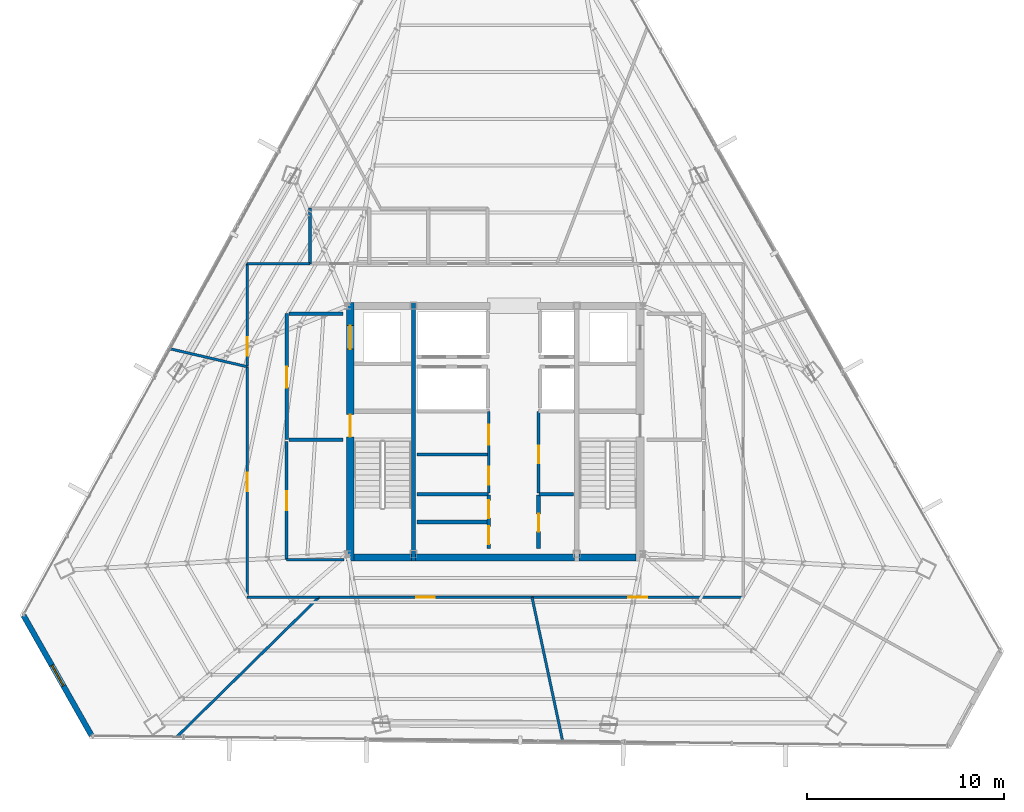
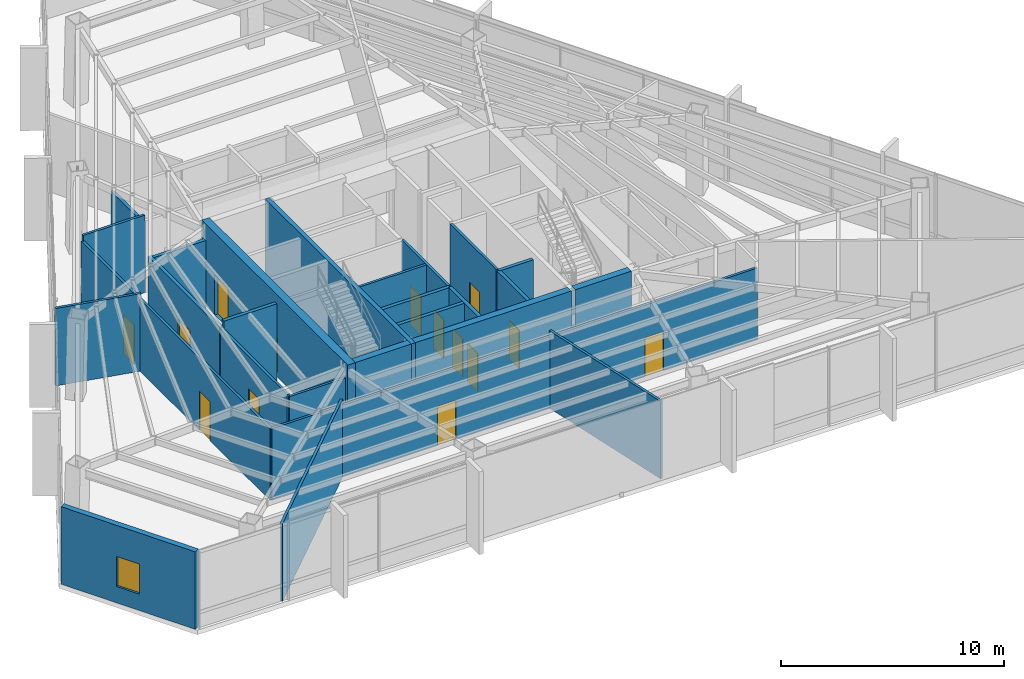
# One storey, part 33 of 37: 29 walls, 14 doors, 1 window, 15 openings.
"""IFC4 building model written with IfcOpenShell, lengths in metres."""

from ifc_helpers import new_model, si_unit, direction, frame, frame_2d, origin, place, context, subcontext, project, spatial, rectangle, extrude, material, layer, layer_set, type_object, element, fill, save


model = new_model("IFC4")

# Units and contexts
model_context = context("Model", 3, precision=1e-05, world=origin(), true_north=direction((0.0, 1.0)))
body_context = subcontext(model_context, "Body", "Model", "MODEL_VIEW")
ifc_project = project(units=[si_unit("LENGTHUNIT", "METRE"), si_unit("AREAUNIT", "SQUARE_METRE"), si_unit("VOLUMEUNIT", "CUBIC_METRE"), si_unit("PLANEANGLEUNIT", "RADIAN"), si_unit("MASSUNIT", "GRAM", prefix="KILO")], contexts=[model_context])

# Site, building, storey
site_placement = place(None, origin())
site = spatial("IfcSite", under=ifc_project, at=site_placement, CompositionType="ELEMENT")
building_placement = place(site_placement, origin())
building = spatial("IfcBuilding", under=site, at=building_placement, Name="Caelisora Broadcast Tower", CompositionType="ELEMENT")
storey_placement = place(building_placement, frame((0.0, 0.0, 225.35009765625)))
storey = spatial("IfcBuildingStorey", under=building, at=storey_placement, Name="L59", CompositionType="ELEMENT", Elevation=225.35009765625)

# Wall, openings, doors
ifc_material_1 = material(Name="Concrete 40 MPa (AS 3600 N40)", Category="concrete")
ifc_layer_1 = layer(ifc_material_1, 0.39990234375, Name="Concrete 40 MPa (AS 3600 N40)")
ifc_layer_set_1 = layer_set([ifc_layer_1], Name="Concrete 40 MPa (AS 3600 N40)")
wall_type_1 = type_object("IfcWallType", Name="CW3", PredefinedType="SHEAR", material=ifc_layer_set_1)
wall_1_placement = place(storey_placement, frame((30.639892578125, 17.050048828125, 0.0), z_axis=(0.0, 0.0, 1.0), x_axis=(0.0, 1.0, 0.0)))
wall_1 = element("IfcWall", 1, at=wall_1_placement, inside=storey, type_object=wall_type_1, Name="L59 core shear wall CW3", PredefinedType="SHEAR", context=body_context, shape_type="SweptSolid", body=[
    extrude(rectangle(XDim=13.125, YDim=0.39990234375, at=frame_2d((6.5625, 0.0))), origin(), (0.0, 0.0, 1.0), 4.5),
])
opening_1_placement = place(wall_1_placement, frame((6.300048828125, 0.0, 0.0)))
opening_1 = element("IfcOpeningElement", 2, at=opening_1_placement, cuts=wall_1, Name="Opening FD04", PredefinedType="OPENING", context=body_context, shape_type="SweptSolid", body=[
    extrude(rectangle(XDim=1.1201171875, YDim=2.14990234375, at=frame_2d((0.56005859375, 1.074951171875))), frame((0.0, 0.2119140625, 0.0), z_axis=(0.0, -1.0, 0.0), x_axis=(1.0, 0.0, 0.0)), (0.0, 0.0, 1.0), 0.423828125),
])
opening_2_placement = place(wall_1_placement, frame((10.75, 0.0, 0.0)))
opening_2 = element("IfcOpeningElement", 3, at=opening_2_placement, cuts=wall_1, Name="Opening LD04", PredefinedType="OPENING", context=body_context, shape_type="SweptSolid", body=[
    extrude(rectangle(XDim=1.199951171875, YDim=2.199951171875, at=frame_2d((0.60009765625, 1.10009765625))), frame((0.0, 0.2119140625, 0.0), z_axis=(0.0, -1.0, 0.0), x_axis=(1.0, 0.0, 0.0)), (0.0, 0.0, 1.0), 0.423828125),
])
ifc_material_2 = material(Name="Pressurised Fire-Isolated Stair Door", Category="steel")
door_type_1 = type_object("IfcDoorType", Name="FD04", OperationType="NOTDEFINED", PredefinedType="DOOR", material=ifc_material_2)
door_1_placement = place(opening_1_placement, origin())
door_1 = element("IfcDoor", 4, at=door_1_placement, inside=storey, type_object=door_type_1, Name="L59 door FD04 (L59-DR-ST1)", OperationType="SINGLE_SWING_LEFT", OverallHeight=2.14990234375, OverallWidth=1.1201171875, PredefinedType="DOOR", context=body_context, shape_type="SweptSolid", body=[
    extrude(rectangle(XDim=1.1201171875, YDim=2.14990234375, at=frame_2d((0.56005859375, 1.074951171875))), frame((0.0, 0.02490234375, 0.0), z_axis=(0.0, -1.0, 0.0), x_axis=(1.0, 0.0, 0.0)), (0.0, 0.0, 1.0), 0.050048828125),
])
fill(opening_1, door_1)
ifc_material_3 = material(Name="Emergency Firefighting Lift Sliding Landing Door", Category="steel")
door_type_2 = type_object("IfcDoorType", Name="LD04", OperationType="NOTDEFINED", PredefinedType="DOOR", material=ifc_material_3)
door_2_placement = place(opening_2_placement, origin())
door_2 = element("IfcDoor", 5, at=door_2_placement, inside=storey, type_object=door_type_2, Name="L59 door LD04 (L59-LD-FFL1)", OperationType="SLIDING_TO_LEFT", OverallHeight=2.199951171875, OverallWidth=1.199951171875, PredefinedType="DOOR", context=body_context, shape_type="SweptSolid", body=[
    extrude(rectangle(XDim=1.199951171875, YDim=2.199951171875, at=frame_2d((0.60009765625, 1.10009765625))), frame((0.0, 0.02490234375, 0.0), z_axis=(0.0, -1.0, 0.0), x_axis=(1.0, 0.0, 0.0)), (0.0, 0.0, 1.0), 0.050048828125),
])
fill(opening_2, door_2)

# Walls
ifc_layer_2 = layer(ifc_material_1, 0.35009765625, Name="Concrete 40 MPa (AS 3600 N40)")
ifc_layer_set_2 = layer_set([ifc_layer_2], Name="Concrete 40 MPa (AS 3600 N40)")
wall_type_2 = type_object("IfcWallType", Name="CW6", PredefinedType="SHEAR", material=ifc_layer_set_2)
wall_2_placement = place(storey_placement, frame((30.840087890625, 17.22509765625, 0.0), z_axis=(0.0, 0.0, 1.0), x_axis=(1.0, 0.0, 0.0)))
element("IfcWall", 6, at=wall_2_placement, inside=storey, type_object=wall_type_2, Name="L59 core shear wall CW6", PredefinedType="SHEAR", context=body_context, shape_type="SweptSolid", body=[
    extrude(rectangle(XDim=2.89990234375, YDim=0.35009765625, at=frame_2d((1.449951171875, 0.0))), origin(), (0.0, 0.0, 1.0), 4.5),
])
wall_3_placement = place(storey_placement, frame((33.9599609375, 17.22509765625, 0.0), z_axis=(0.0, 0.0, 1.0), x_axis=(1.0, 0.0, 0.0)))
element("IfcWall", 7, at=wall_3_placement, inside=storey, type_object=wall_type_2, Name="L59 core shear wall CW6", PredefinedType="SHEAR", context=body_context, shape_type="SweptSolid", body=[
    extrude(rectangle(XDim=8.080078125, YDim=0.35009765625, at=frame_2d((4.0400390625, 0.0))), origin(), (0.0, 0.0, 1.0), 4.5),
])
wall_4_placement = place(storey_placement, frame((42.260009765625, 17.22509765625, 0.0), z_axis=(0.0, 0.0, 1.0), x_axis=(1.0, 0.0, 0.0)))
element("IfcWall", 8, at=wall_4_placement, inside=storey, type_object=wall_type_2, Name="L59 core shear wall CW6", PredefinedType="SHEAR", context=body_context, shape_type="SweptSolid", body=[
    extrude(rectangle(XDim=2.89990234375, YDim=0.35009765625, at=frame_2d((1.449951171875, 0.0))), origin(), (0.0, 0.0, 1.0), 4.5),
])
ifc_material_4 = material(Name="Concrete 50 MPa (AS 3600 S50)", Category="concrete")
ifc_layer_3 = layer(ifc_material_4, 0.219970703125, Name="Concrete 50 MPa (AS 3600 S50)")
ifc_layer_set_3 = layer_set([ifc_layer_3], Name="Concrete 50 MPa (AS 3600 S50)")
wall_type_3 = type_object("IfcWallType", Name="CW7", PredefinedType="SHEAR", material=ifc_layer_set_3)
wall_5_placement = place(storey_placement, frame((33.85009765625, 17.050048828125, 0.0), z_axis=(0.0, 0.0, 1.0), x_axis=(0.0, 1.0, 0.0)))
element("IfcWall", 9, at=wall_5_placement, inside=storey, type_object=wall_type_3, Name="L59 core shear wall CW7", PredefinedType="SHEAR", context=body_context, shape_type="SweptSolid", body=[
    extrude(rectangle(XDim=13.125, YDim=0.219970703125, at=frame_2d((6.5625, 0.0))), origin(), (0.0, 0.0, 1.0), 4.5),
])

# Wall, opening, window
ifc_material_5 = material(Name="Insulated Terracotta Spandrel Wall System", Category="masonry")
ifc_layer_4 = layer(ifc_material_5, 0.280029296875, Name="Insulated Terracotta Spandrel Wall System")
ifc_layer_set_4 = layer_set([ifc_layer_4], Name="Insulated Terracotta Spandrel Wall System")
wall_type_4 = type_object("IfcWallType", Name="EW1", PredefinedType="STANDARD", material=ifc_layer_set_4)
wall_6_placement = place(storey_placement, frame((17.4921875, 8.18603515625, 0.0), z_axis=(0.0, 0.0, 1.0), x_axis=(-0.49286884563, 0.870103615098, 0.0)))
wall_6 = element("IfcWall", 10, at=wall_6_placement, inside=storey, type_object=wall_type_4, Name="L59 exterior envelope wall EW1", PredefinedType="STANDARD", context=body_context, shape_type="SweptSolid", body=[
    extrude(rectangle(XDim=6.986328125, YDim=0.280029296875, at=frame_2d((3.4931640625, 0.0))), origin(), (0.0, 0.0, 1.0), 4.25),
])
opening_3_placement = place(wall_6_placement, frame((2.889892578125, 0.0, 0.89990234375)))
opening_3 = element("IfcOpeningElement", 11, at=opening_3_placement, cuts=wall_6, Name="Opening W03", PredefinedType="OPENING", context=body_context, shape_type="SweptSolid", body=[
    extrude(rectangle(XDim=1.199951171875, YDim=1.64990234375, at=frame_2d((0.60009765625, 0.824951171875))), frame((0.0, 0.152099609375, 0.0), z_axis=(0.0, -1.0, 0.0), x_axis=(1.0, 0.0, 0.0)), (0.0, 0.0, 1.0), 0.303955078125),
])
ifc_material_6 = material(Name="Double Glazed Corner Vision Window", Category="glass")
window_type = type_object("IfcWindowType", Name="W03", PartitioningType="SINGLE_PANEL", PredefinedType="WINDOW", material=ifc_material_6)
window_placement = place(opening_3_placement, origin())
window = element("IfcWindow", 12, at=window_placement, inside=storey, type_object=window_type, Name="L59 window W03 (L59-WN-CH4)", OverallHeight=1.64990234375, OverallWidth=1.199951171875, PartitioningType="SINGLE_PANEL", PredefinedType="WINDOW", context=body_context, shape_type="SweptSolid", body=[
    extrude(rectangle(XDim=1.199951171875, YDim=1.64990234375, at=frame_2d((0.60009765625, 0.824951171875))), frame((0.0, 0.030029296875, 0.0), z_axis=(0.0, -1.0, 0.0), x_axis=(1.0, 0.0, 0.0)), (0.0, 0.0, 1.0), 0.06005859375),
])
fill(opening_3, window)

# Wall, opening, door
ifc_material_7 = material(Name="Fire-Rated Gypsum Shaft and Compartment Wall", Category="gypsum")
ifc_layer_5 = layer(ifc_material_7, 0.179931640625, Name="Fire-Rated Gypsum Shaft and Compartment Wall")
ifc_layer_set_5 = layer_set([ifc_layer_5], Name="Fire-Rated Gypsum Shaft and Compartment Wall")
wall_type_5 = type_object("IfcWallType", Name="PW2", PredefinedType="PARTITIONING", material=ifc_layer_set_5)
wall_7_placement = place(storey_placement, frame((27.419921875, 23.199951171875, 0.0), z_axis=(0.0, 0.0, 1.0), x_axis=(0.0, 1.0, 0.0)))
wall_7 = element("IfcWall", 13, at=wall_7_placement, inside=storey, type_object=wall_type_5, Name="L59 fire compartment wall PW2", PredefinedType="PARTITIONING", context=body_context, shape_type="SweptSolid", body=[
    extrude(rectangle(XDim=6.400146484375, YDim=0.179931640625, at=frame_2d((3.2001953125, 0.0))), origin(), (0.0, 0.0, 1.0), 3.934814453125),
])
opening_4_placement = place(wall_7_placement, frame((2.64990234375, 0.0, 0.0)))
opening_4 = element("IfcOpeningElement", 14, at=opening_4_placement, cuts=wall_7, Name="Opening FD02", PredefinedType="OPENING", context=body_context, shape_type="SweptSolid", body=[
    extrude(rectangle(XDim=1.050048828125, YDim=2.14990234375, at=frame_2d((0.52490234375, 1.074951171875))), frame((0.0, 0.10205078125, 0.0), z_axis=(0.0, -1.0, 0.0), x_axis=(1.0, 0.0, 0.0)), (0.0, 0.0, 1.0), 0.203857421875),
])
ifc_material_8 = material(Name="Single-Leaf Steel Fire Lobby Door", Category="steel")
door_type_3 = type_object("IfcDoorType", Name="FD02", OperationType="NOTDEFINED", PredefinedType="DOOR", material=ifc_material_8)
door_3_placement = place(opening_4_placement, origin())
door_3 = element("IfcDoor", 15, at=door_3_placement, inside=storey, type_object=door_type_3, Name="L59 door FD02 (L59-DR-P01D1)", OperationType="SINGLE_SWING_LEFT", OverallHeight=2.14990234375, OverallWidth=1.050048828125, PredefinedType="DOOR", context=body_context, shape_type="SweptSolid", body=[
    extrude(rectangle(XDim=1.050048828125, YDim=2.14990234375, at=frame_2d((0.52490234375, 1.074951171875))), frame((0.0, 0.02490234375, 0.0), z_axis=(0.0, -1.0, 0.0), x_axis=(1.0, 0.0, 0.0)), (0.0, 0.0, 1.0), 0.050048828125),
])
fill(opening_4, door_3)

# Walls
wall_8_placement = place(storey_placement, frame((27.52001953125, 23.199951171875, 0.0), z_axis=(0.0, 0.0, 1.0), x_axis=(1.0, 0.0, 0.0)))
element("IfcWall", 16, at=wall_8_placement, inside=storey, type_object=wall_type_5, Name="L59 fire compartment wall PW2", PredefinedType="PARTITIONING", context=body_context, shape_type="SweptSolid", body=[
    extrude(rectangle(XDim=2.760009765625, YDim=0.179931640625, at=frame_2d((1.3798828125, 0.0))), origin(), (0.0, 0.0, 1.0), 4.25),
])
wall_9_placement = place(storey_placement, frame((27.52001953125, 29.60009765625, 0.0), z_axis=(0.0, 0.0, 1.0), x_axis=(1.0, 0.0, 0.0)))
element("IfcWall", 17, at=wall_9_placement, inside=storey, type_object=wall_type_5, Name="L59 fire compartment wall PW2", PredefinedType="PARTITIONING", context=body_context, shape_type="SweptSolid", body=[
    extrude(rectangle(XDim=2.760009765625, YDim=0.179931640625, at=frame_2d((1.3798828125, 0.0))), origin(), (0.0, 0.0, 1.0), 3.8349609375),
])
wall_10_placement = place(storey_placement, frame((34.02001953125, 20.419921875, 0.0), z_axis=(0.0, 0.0, 1.0), x_axis=(1.0, 0.0, 0.0)))
element("IfcWall", 18, at=wall_10_placement, inside=storey, type_object=wall_type_5, Name="L59 fire compartment wall PW2", PredefinedType="PARTITIONING", context=body_context, shape_type="SweptSolid", body=[
    extrude(rectangle(XDim=3.639892578125, YDim=0.179931640625, at=frame_2d((1.81982421875, 0.0))), origin(), (0.0, 0.0, 1.0), 4.25),
])
wall_11_placement = place(storey_placement, frame((40.219970703125, 20.419921875, 0.0), z_axis=(0.0, 0.0, 1.0), x_axis=(1.0, 0.0, 0.0)))
element("IfcWall", 19, at=wall_11_placement, inside=storey, type_object=wall_type_5, Name="L59 fire compartment wall PW2", PredefinedType="PARTITIONING", context=body_context, shape_type="SweptSolid", body=[
    extrude(rectangle(XDim=1.760009765625, YDim=0.179931640625, at=frame_2d((0.8798828125, 0.0))), origin(), (0.0, 0.0, 1.0), 4.25),
])
wall_12_placement = place(storey_placement, frame((34.02001953125, 19.02001953125, 0.0), z_axis=(0.0, 0.0, 1.0), x_axis=(1.0, 0.0, 0.0)))
element("IfcWall", 20, at=wall_12_placement, inside=storey, type_object=wall_type_5, Name="L59 fire compartment wall PW2", PredefinedType="PARTITIONING", context=body_context, shape_type="SweptSolid", body=[
    extrude(rectangle(XDim=3.580078125, YDim=0.179931640625, at=frame_2d((1.7900390625, 0.0))), origin(), (0.0, 0.0, 1.0), 4.25),
])

# Wall, openings, doors
wall_13_placement = place(storey_placement, frame((37.679931640625, 17.679931640625, 0.0), z_axis=(0.0, 0.0, 1.0), x_axis=(0.0, 1.0, 0.0)))
wall_13 = element("IfcWall", 21, at=wall_13_placement, inside=storey, type_object=wall_type_5, Name="L59 fire compartment wall PW2", PredefinedType="PARTITIONING", context=body_context, shape_type="SweptSolid", body=[
    extrude(rectangle(XDim=2.699951171875, YDim=0.179931640625, at=frame_2d((1.35009765625, 0.0))), origin(), (0.0, 0.0, 1.0), 4.25),
])
opening_5_placement = place(wall_13_placement, frame((0.219970703125, 0.0, 0.0)))
opening_5 = element("IfcOpeningElement", 22, at=opening_5_placement, cuts=wall_13, Name="Opening FD03", PredefinedType="OPENING", context=body_context, shape_type="SweptSolid", body=[
    extrude(rectangle(XDim=0.89990234375, YDim=2.10009765625, at=frame_2d((0.449951171875, 1.050048828125))), frame((0.0, 0.10205078125, 0.0), z_axis=(0.0, -1.0, 0.0), x_axis=(1.0, 0.0, 0.0)), (0.0, 0.0, 1.0), 0.203857421875),
])
opening_6_placement = place(wall_13_placement, frame((1.5400390625, 0.0, 0.0)))
opening_6 = element("IfcOpeningElement", 23, at=opening_6_placement, cuts=wall_13, Name="Opening FD03", PredefinedType="OPENING", context=body_context, shape_type="SweptSolid", body=[
    extrude(rectangle(XDim=0.89990234375, YDim=2.10009765625, at=frame_2d((0.449951171875, 1.050048828125))), frame((0.0, 0.10205078125, 0.0), z_axis=(0.0, -1.0, 0.0), x_axis=(1.0, 0.0, 0.0)), (0.0, 0.0, 1.0), 0.203857421875),
])
ifc_material_9 = material(Name="Single-Leaf Steel Riser Fire Access Door", Category="steel")
door_type_4 = type_object("IfcDoorType", Name="FD03", OperationType="NOTDEFINED", PredefinedType="DOOR", material=ifc_material_9)
door_4_placement = place(opening_5_placement, origin())
door_4 = element("IfcDoor", 24, at=door_4_placement, inside=storey, type_object=door_type_4, Name="L59 door FD03 (L59-DR-P15D1)", OperationType="SINGLE_SWING_RIGHT", OverallHeight=2.10009765625, OverallWidth=0.89990234375, PredefinedType="DOOR", context=body_context, shape_type="SweptSolid", body=[
    extrude(rectangle(XDim=0.89990234375, YDim=2.10009765625, at=frame_2d((0.449951171875, 1.050048828125))), frame((0.0, 0.02490234375, 0.0), z_axis=(0.0, -1.0, 0.0), x_axis=(1.0, 0.0, 0.0)), (0.0, 0.0, 1.0), 0.050048828125),
])
fill(opening_5, door_4)
door_5_placement = place(opening_6_placement, origin())
door_5 = element("IfcDoor", 25, at=door_5_placement, inside=storey, type_object=door_type_4, Name="L59 door FD03 (L59-DR-P15D2)", OperationType="SINGLE_SWING_LEFT", OverallHeight=2.10009765625, OverallWidth=0.89990234375, PredefinedType="DOOR", context=body_context, shape_type="SweptSolid", body=[
    extrude(rectangle(XDim=0.89990234375, YDim=2.10009765625, at=frame_2d((0.449951171875, 1.050048828125))), frame((0.0, 0.02490234375, 0.0), z_axis=(0.0, -1.0, 0.0), x_axis=(1.0, 0.0, 0.0)), (0.0, 0.0, 1.0), 0.050048828125),
])
fill(opening_6, door_5)

# Wall, opening, door
wall_14_placement = place(storey_placement, frame((40.199951171875, 17.679931640625, 0.0), z_axis=(0.0, 0.0, 1.0), x_axis=(0.0, 1.0, 0.0)))
wall_14 = element("IfcWall", 26, at=wall_14_placement, inside=storey, type_object=wall_type_5, Name="L59 fire compartment wall PW2", PredefinedType="PARTITIONING", context=body_context, shape_type="SweptSolid", body=[
    extrude(rectangle(XDim=2.699951171875, YDim=0.179931640625, at=frame_2d((1.35009765625, 0.0))), origin(), (0.0, 0.0, 1.0), 4.25),
])
opening_7_placement = place(wall_14_placement, frame((0.85009765625, 0.0, 0.0)))
opening_7 = element("IfcOpeningElement", 27, at=opening_7_placement, cuts=wall_14, Name="Opening FD03", PredefinedType="OPENING", context=body_context, shape_type="SweptSolid", body=[
    extrude(rectangle(XDim=0.89990234375, YDim=2.10009765625, at=frame_2d((0.449951171875, 1.050048828125))), frame((0.0, 0.10205078125, 0.0), z_axis=(0.0, -1.0, 0.0), x_axis=(1.0, 0.0, 0.0)), (0.0, 0.0, 1.0), 0.203857421875),
])
door_6_placement = place(opening_7_placement, origin())
door_6 = element("IfcDoor", 28, at=door_6_placement, inside=storey, type_object=door_type_4, Name="L59 door FD03 (L59-DR-P16D1)", OperationType="SINGLE_SWING_RIGHT", OverallHeight=2.10009765625, OverallWidth=0.89990234375, PredefinedType="DOOR", context=body_context, shape_type="SweptSolid", body=[
    extrude(rectangle(XDim=0.89990234375, YDim=2.10009765625, at=frame_2d((0.449951171875, 1.050048828125))), frame((0.0, 0.02490234375, 0.0), z_axis=(0.0, -1.0, 0.0), x_axis=(1.0, 0.0, 0.0)), (0.0, 0.0, 1.0), 0.050048828125),
])
fill(opening_7, door_6)

# Wall
ifc_material_10 = material(Name="Acoustic Steel-Stud Plasterboard Partition", Category="gypsum")
ifc_layer_6 = layer(ifc_material_10, 0.1298828125, Name="Acoustic Steel-Stud Plasterboard Partition")
ifc_layer_set_6 = layer_set([ifc_layer_6], Name="Acoustic Steel-Stud Plasterboard Partition")
wall_type_6 = type_object("IfcWallType", Name="PW3", PredefinedType="PARTITIONING", material=ifc_layer_set_6)
wall_15_placement = place(storey_placement, frame((34.02001953125, 22.449951171875, 0.0), z_axis=(0.0, 0.0, 1.0), x_axis=(1.0, 0.0, 0.0)))
element("IfcWall", 29, at=wall_15_placement, inside=storey, type_object=wall_type_6, Name="L59 internal partition PW3", PredefinedType="PARTITIONING", context=body_context, shape_type="SweptSolid", body=[
    extrude(rectangle(XDim=3.580078125, YDim=0.1298828125, at=frame_2d((1.7900390625, 0.0))), origin(), (0.0, 0.0, 1.0), 4.25),
])

# Wall, openings, doors
wall_16_placement = place(storey_placement, frame((37.679931640625, 20.5, 0.0), z_axis=(0.0, 0.0, 1.0), x_axis=(0.0, 1.0, 0.0)))
wall_16 = element("IfcWall", 30, at=wall_16_placement, inside=storey, type_object=wall_type_6, Name="L59 internal partition PW3", PredefinedType="PARTITIONING", context=body_context, shape_type="SweptSolid", body=[
    extrude(rectangle(XDim=4.139892578125, YDim=0.1298828125, at=frame_2d((2.06982421875, 0.0))), origin(), (0.0, 0.0, 1.0), 4.25),
])
opening_8_placement = place(wall_16_placement, frame((0.419921875, 0.0, 0.0)))
opening_8 = element("IfcOpeningElement", 31, at=opening_8_placement, cuts=wall_16, Name="Opening FD03", PredefinedType="OPENING", context=body_context, shape_type="SweptSolid", body=[
    extrude(rectangle(XDim=0.89990234375, YDim=2.10009765625, at=frame_2d((0.449951171875, 1.050048828125))), frame((0.0, 0.076904296875, 0.0), z_axis=(0.0, -1.0, 0.0), x_axis=(1.0, 0.0, 0.0)), (0.0, 0.0, 1.0), 0.15380859375),
])
opening_9_placement = place(wall_16_placement, frame((2.449951171875, 0.0, 0.0)))
opening_9 = element("IfcOpeningElement", 32, at=opening_9_placement, cuts=wall_16, Name="Opening D02", PredefinedType="OPENING", context=body_context, shape_type="SweptSolid", body=[
    extrude(rectangle(XDim=1.02001953125, YDim=2.14990234375, at=frame_2d((0.510009765625, 1.074951171875))), frame((0.0, 0.076904296875, 0.0), z_axis=(0.0, -1.0, 0.0), x_axis=(1.0, 0.0, 0.0)), (0.0, 0.0, 1.0), 0.15380859375),
])
ifc_material_11 = material(Name="Solid-Core Timber Archive Suite Door", Category="wood")
door_type_5 = type_object("IfcDoorType", Name="D02", OperationType="NOTDEFINED", PredefinedType="DOOR", material=ifc_material_11)
door_7_placement = place(opening_9_placement, origin())
door_7 = element("IfcDoor", 33, at=door_7_placement, inside=storey, type_object=door_type_5, Name="L59 door D02 (L59-DR-P12D2)", OperationType="SINGLE_SWING_RIGHT", OverallHeight=2.14990234375, OverallWidth=1.02001953125, PredefinedType="DOOR", context=body_context, shape_type="SweptSolid", body=[
    extrude(rectangle(XDim=1.02001953125, YDim=2.14990234375, at=frame_2d((0.510009765625, 1.074951171875))), frame((0.0, 0.02490234375, 0.0), z_axis=(0.0, -1.0, 0.0), x_axis=(1.0, 0.0, 0.0)), (0.0, 0.0, 1.0), 0.050048828125),
])
fill(opening_9, door_7)
door_8_placement = place(opening_8_placement, origin())
door_8 = element("IfcDoor", 34, at=door_8_placement, inside=storey, type_object=door_type_4, Name="L59 door FD03 (L59-DR-P12D1)", OperationType="SINGLE_SWING_LEFT", OverallHeight=2.10009765625, OverallWidth=0.89990234375, PredefinedType="DOOR", context=body_context, shape_type="SweptSolid", body=[
    extrude(rectangle(XDim=0.89990234375, YDim=2.10009765625, at=frame_2d((0.449951171875, 1.050048828125))), frame((0.0, 0.02490234375, 0.0), z_axis=(0.0, -1.0, 0.0), x_axis=(1.0, 0.0, 0.0)), (0.0, 0.0, 1.0), 0.050048828125),
])
fill(opening_8, door_8)

# Wall, opening, door
wall_17_placement = place(storey_placement, frame((40.199951171875, 20.5, 0.0), z_axis=(0.0, 0.0, 1.0), x_axis=(0.0, 1.0, 0.0)))
wall_17 = element("IfcWall", 35, at=wall_17_placement, inside=storey, type_object=wall_type_6, Name="L59 internal partition PW3", PredefinedType="PARTITIONING", context=body_context, shape_type="SweptSolid", body=[
    extrude(rectangle(XDim=4.139892578125, YDim=0.1298828125, at=frame_2d((2.06982421875, 0.0))), origin(), (0.0, 0.0, 1.0), 4.25),
])
opening_10_placement = place(wall_17_placement, frame((1.5, 0.0, 0.0)))
opening_10 = element("IfcOpeningElement", 36, at=opening_10_placement, cuts=wall_17, Name="Opening FD03", PredefinedType="OPENING", context=body_context, shape_type="SweptSolid", body=[
    extrude(rectangle(XDim=0.89990234375, YDim=2.10009765625, at=frame_2d((0.449951171875, 1.050048828125))), frame((0.0, 0.076904296875, 0.0), z_axis=(0.0, -1.0, 0.0), x_axis=(1.0, 0.0, 0.0)), (0.0, 0.0, 1.0), 0.15380859375),
])
door_9_placement = place(opening_10_placement, origin())
door_9 = element("IfcDoor", 37, at=door_9_placement, inside=storey, type_object=door_type_4, Name="L59 door FD03 (L59-DR-P13D1)", OperationType="SINGLE_SWING_LEFT", OverallHeight=2.10009765625, OverallWidth=0.89990234375, PredefinedType="DOOR", context=body_context, shape_type="SweptSolid", body=[
    extrude(rectangle(XDim=0.89990234375, YDim=2.10009765625, at=frame_2d((0.449951171875, 1.050048828125))), frame((0.0, 0.02490234375, 0.0), z_axis=(0.0, -1.0, 0.0), x_axis=(1.0, 0.0, 0.0)), (0.0, 0.0, 1.0), 0.050048828125),
])
fill(opening_10, door_9)

wall_18_placement = place(storey_placement, frame((25.39990234375, 26.905029296875, 0.0), z_axis=(0.0, 0.0, 1.0), x_axis=(0.0, -1.0, 0.0)))
wall_18 = element("IfcWall", 38, at=wall_18_placement, inside=storey, type_object=wall_type_6, Name="L59 internal partition PW3", PredefinedType="PARTITIONING", context=body_context, shape_type="SweptSolid", body=[
    extrude(rectangle(XDim=11.699951171875, YDim=0.1298828125, at=frame_2d((5.85009765625, 0.0))), origin(), (0.0, 0.0, 1.0), 3.934814453125),
])
opening_11_placement = place(wall_18_placement, frame((5.3701171875, 0.0, 0.0)))
opening_11 = element("IfcOpeningElement", 39, at=opening_11_placement, cuts=wall_18, Name="Opening D01", PredefinedType="OPENING", context=body_context, shape_type="SweptSolid", body=[
    extrude(rectangle(XDim=0.9599609375, YDim=2.14990234375, at=frame_2d((0.47998046875, 1.074951171875))), frame((0.0, 0.076904296875, 0.0), z_axis=(0.0, -1.0, 0.0), x_axis=(1.0, 0.0, 0.0)), (0.0, 0.0, 1.0), 0.15380859375),
])
ifc_material_12 = material(Name="Solid-Core Timber Acoustic Office Door", Category="wood")
door_type_6 = type_object("IfcDoorType", Name="D01", OperationType="NOTDEFINED", PredefinedType="DOOR", material=ifc_material_12)
door_10_placement = place(opening_11_placement, origin())
door_10 = element("IfcDoor", 40, at=door_10_placement, inside=storey, type_object=door_type_6, Name="L59 door D01 (L59-DR-P30D1)", OperationType="SINGLE_SWING_RIGHT", OverallHeight=2.14990234375, OverallWidth=0.9599609375, PredefinedType="DOOR", context=body_context, shape_type="SweptSolid", body=[
    extrude(rectangle(XDim=0.9599609375, YDim=2.14990234375, at=frame_2d((0.47998046875, 1.074951171875))), frame((0.0, 0.02490234375, 0.0), z_axis=(0.0, -1.0, 0.0), x_axis=(1.0, 0.0, 0.0)), (0.0, 0.0, 1.0), 0.050048828125),
])
fill(opening_11, door_10)

wall_19_placement = place(storey_placement, frame((29.054931640625, 15.199951171875, 0.0), z_axis=(0.0, 0.0, 1.0), x_axis=(1.0, 0.0, 0.0)))
wall_19 = element("IfcWall", 41, at=wall_19_placement, inside=storey, type_object=wall_type_6, Name="L59 internal partition PW3", PredefinedType="PARTITIONING", context=body_context, shape_type="SweptSolid", body=[
    extrude(rectangle(XDim=10.81005859375, YDim=0.1298828125, at=frame_2d((5.405029296875, 0.0))), origin(), (0.0, 0.0, 1.0), 3.934814453125),
])
opening_12_placement = place(wall_19_placement, frame((4.925048828125, 0.0, 0.0)))
opening_12 = element("IfcOpeningElement", 42, at=opening_12_placement, cuts=wall_19, Name="Opening D01", PredefinedType="OPENING", context=body_context, shape_type="SweptSolid", body=[
    extrude(rectangle(XDim=0.9599609375, YDim=2.14990234375, at=frame_2d((0.47998046875, 1.074951171875))), frame((0.0, 0.076904296875, 0.0), z_axis=(0.0, -1.0, 0.0), x_axis=(1.0, 0.0, 0.0)), (0.0, 0.0, 1.0), 0.15380859375),
])
door_11_placement = place(opening_12_placement, origin())
door_11 = element("IfcDoor", 43, at=door_11_placement, inside=storey, type_object=door_type_6, Name="L59 door D01 (L59-DR-P32D1)", OperationType="SINGLE_SWING_RIGHT", OverallHeight=2.14990234375, OverallWidth=0.9599609375, PredefinedType="DOOR", context=body_context, shape_type="SweptSolid", body=[
    extrude(rectangle(XDim=0.9599609375, YDim=2.14990234375, at=frame_2d((0.47998046875, 1.074951171875))), frame((0.0, 0.02490234375, 0.0), z_axis=(0.0, -1.0, 0.0), x_axis=(1.0, 0.0, 0.0)), (0.0, 0.0, 1.0), 0.050048828125),
])
fill(opening_12, door_11)

wall_20_placement = place(storey_placement, frame((39.875, 15.199951171875, 0.0), z_axis=(0.0, 0.0, 1.0), x_axis=(1.0, 0.0, 0.0)))
wall_20 = element("IfcWall", 44, at=wall_20_placement, inside=storey, type_object=wall_type_6, Name="L59 internal partition PW3", PredefinedType="PARTITIONING", context=body_context, shape_type="SweptSolid", body=[
    extrude(rectangle(XDim=10.719970703125, YDim=0.1298828125, at=frame_2d((5.35986328125, 0.0))), origin(), (0.0, 0.0, 1.0), 3.934814453125),
])
opening_13_placement = place(wall_20_placement, frame((4.8798828125, 0.0, 0.0)))
opening_13 = element("IfcOpeningElement", 45, at=opening_13_placement, cuts=wall_20, Name="Opening D01", PredefinedType="OPENING", context=body_context, shape_type="SweptSolid", body=[
    extrude(rectangle(XDim=0.9599609375, YDim=2.14990234375, at=frame_2d((0.47998046875, 1.074951171875))), frame((0.0, 0.076904296875, 0.0), z_axis=(0.0, -1.0, 0.0), x_axis=(1.0, 0.0, 0.0)), (0.0, 0.0, 1.0), 0.15380859375),
])
door_12_placement = place(opening_13_placement, origin())
door_12 = element("IfcDoor", 46, at=door_12_placement, inside=storey, type_object=door_type_6, Name="L59 door D01 (L59-DR-P33D1)", OperationType="SINGLE_SWING_LEFT", OverallHeight=2.14990234375, OverallWidth=0.9599609375, PredefinedType="DOOR", context=body_context, shape_type="SweptSolid", body=[
    extrude(rectangle(XDim=0.9599609375, YDim=2.14990234375, at=frame_2d((0.47998046875, 1.074951171875))), frame((0.0, 0.02490234375, 0.0), z_axis=(0.0, -1.0, 0.0), x_axis=(1.0, 0.0, 0.0)), (0.0, 0.0, 1.0), 0.050048828125),
])
fill(opening_13, door_12)

# Walls
wall_21_placement = place(storey_placement, frame((21.82666015625, 8.10498046875, 0.0), z_axis=(0.0, 0.0, 1.0), x_axis=(0.713411545464, 0.700745293811, 0.0)))
element("IfcWall", 47, at=wall_21_placement, inside=storey, type_object=wall_type_6, Name="L59 internal partition PW3", PredefinedType="PARTITIONING", context=body_context, shape_type="SweptSolid", body=[
    extrude(rectangle(XDim=10.119384765625, YDim=0.1298828125, at=frame_2d((5.0595703125, 0.0))), origin(), (0.0, 0.0, 1.0), 4.25),
])
wall_22_placement = place(storey_placement, frame((39.87109375, 15.195068359375, 0.0), z_axis=(0.0, 0.0, 1.0), x_axis=(0.208256428568, -0.978074260964, 0.0)))
element("IfcWall", 48, at=wall_22_placement, inside=storey, type_object=wall_type_6, Name="L59 internal partition PW3", PredefinedType="PARTITIONING", context=body_context, shape_type="SweptSolid", body=[
    extrude(rectangle(XDim=7.481689453125, YDim=0.1298828125, at=frame_2d((3.74072265625, 0.0))), origin(), (0.0, 0.0, 1.0), 4.25),
])

# Wall, opening, door
wall_23_placement = place(storey_placement, frame((27.39990234375, 17.10498046875, 0.0), z_axis=(0.0, 0.0, 1.0), x_axis=(0.0, 1.0, 0.0)))
wall_23 = element("IfcWall", 49, at=wall_23_placement, inside=storey, type_object=wall_type_6, Name="L59 internal partition PW3", PredefinedType="PARTITIONING", context=body_context, shape_type="SweptSolid", body=[
    extrude(rectangle(XDim=6.0, YDim=0.1298828125, at=frame_2d((3.0, 0.0))), origin(), (0.0, 0.0, 1.0), 3.934814453125),
])
opening_14_placement = place(wall_23_placement, frame((2.52001953125, 0.0, 0.0)))
opening_14 = element("IfcOpeningElement", 50, at=opening_14_placement, cuts=wall_23, Name="Opening D01", PredefinedType="OPENING", context=body_context, shape_type="SweptSolid", body=[
    extrude(rectangle(XDim=0.9599609375, YDim=2.14990234375, at=frame_2d((0.47998046875, 1.074951171875))), frame((0.0, 0.076904296875, 0.0), z_axis=(0.0, -1.0, 0.0), x_axis=(1.0, 0.0, 0.0)), (0.0, 0.0, 1.0), 0.15380859375),
])
door_13_placement = place(opening_14_placement, origin())
door_13 = element("IfcDoor", 51, at=door_13_placement, inside=storey, type_object=door_type_6, Name="L59 door D01 (L59-DR-P40D1)", OperationType="SINGLE_SWING_LEFT", OverallHeight=2.14990234375, OverallWidth=0.9599609375, PredefinedType="DOOR", context=body_context, shape_type="SweptSolid", body=[
    extrude(rectangle(XDim=0.9599609375, YDim=2.14990234375, at=frame_2d((0.47998046875, 1.074951171875))), frame((0.0, 0.02490234375, 0.0), z_axis=(0.0, -1.0, 0.0), x_axis=(1.0, 0.0, 0.0)), (0.0, 0.0, 1.0), 0.050048828125),
])
fill(opening_14, door_13)

wall_24_placement = place(storey_placement, frame((25.39990234375, 26.9150390625, 0.0), z_axis=(0.0, 0.0, 1.0), x_axis=(0.0, 1.0, 0.0)))
wall_24 = element("IfcWall", 52, at=wall_24_placement, inside=storey, type_object=wall_type_6, Name="L59 internal partition PW3", PredefinedType="PARTITIONING", context=body_context, shape_type="SweptSolid", body=[
    extrude(rectangle(XDim=5.22998046875, YDim=0.1298828125, at=frame_2d((2.614990234375, 0.0))), origin(), (0.0, 0.0, 1.0), 3.934814453125),
])
opening_15_placement = place(wall_24_placement, frame((0.5400390625, 0.0, 0.0)))
opening_15 = element("IfcOpeningElement", 53, at=opening_15_placement, cuts=wall_24, Name="Opening D01", PredefinedType="OPENING", context=body_context, shape_type="SweptSolid", body=[
    extrude(rectangle(XDim=0.9599609375, YDim=2.14990234375, at=frame_2d((0.47998046875, 1.074951171875))), frame((0.0, 0.076904296875, 0.0), z_axis=(0.0, -1.0, 0.0), x_axis=(1.0, 0.0, 0.0)), (0.0, 0.0, 1.0), 0.15380859375),
])
door_14_placement = place(opening_15_placement, origin())
door_14 = element("IfcDoor", 54, at=door_14_placement, inside=storey, type_object=door_type_6, Name="L59 door D01 (L59-DR-P42D1)", OperationType="SINGLE_SWING_LEFT", OverallHeight=2.14990234375, OverallWidth=0.9599609375, PredefinedType="DOOR", context=body_context, shape_type="SweptSolid", body=[
    extrude(rectangle(XDim=0.9599609375, YDim=2.14990234375, at=frame_2d((0.47998046875, 1.074951171875))), frame((0.0, 0.02490234375, 0.0), z_axis=(0.0, -1.0, 0.0), x_axis=(1.0, 0.0, 0.0)), (0.0, 0.0, 1.0), 0.050048828125),
])
fill(opening_15, door_14)

# Walls
wall_25_placement = place(storey_placement, frame((21.484619140625, 27.818115234375, 0.0), z_axis=(0.0, 0.0, 1.0), x_axis=(0.974127094836, -0.226000891828, 0.0)))
element("IfcWall", 55, at=wall_25_placement, inside=storey, type_object=wall_type_6, Name="L59 internal partition PW3", PredefinedType="PARTITIONING", context=body_context, shape_type="SweptSolid", body=[
    extrude(rectangle(XDim=4.01416015625, YDim=0.1298828125, at=frame_2d((2.007080078125, 0.0))), origin(), (0.0, 0.0, 1.0), 4.25),
])
wall_26_placement = place(storey_placement, frame((25.405029296875, 15.199951171875, 0.0), z_axis=(0.0, 0.0, 1.0), x_axis=(1.0, 0.0, 0.0)))
element("IfcWall", 56, at=wall_26_placement, inside=storey, type_object=wall_type_6, Name="L59 internal partition PW3", PredefinedType="PARTITIONING", context=body_context, shape_type="SweptSolid", body=[
    extrude(rectangle(XDim=3.639892578125, YDim=0.1298828125, at=frame_2d((1.81982421875, 0.0))), origin(), (0.0, 0.0, 1.0), 3.934814453125),
])
wall_27_placement = place(storey_placement, frame((25.405029296875, 32.14990234375, 0.0), z_axis=(0.0, 0.0, 1.0), x_axis=(1.0, 0.0, 0.0)))
element("IfcWall", 57, at=wall_27_placement, inside=storey, type_object=wall_type_6, Name="L59 internal partition PW3", PredefinedType="PARTITIONING", context=body_context, shape_type="SweptSolid", body=[
    extrude(rectangle(XDim=3.18994140625, YDim=0.1298828125, at=frame_2d((1.594970703125, 0.0))), origin(), (0.0, 0.0, 1.0), 4.25),
])
wall_28_placement = place(storey_placement, frame((30.324951171875, 17.10009765625, 0.0), z_axis=(0.0, 0.0, 1.0), x_axis=(-1.0, 0.0, 0.0)))
element("IfcWall", 58, at=wall_28_placement, inside=storey, type_object=wall_type_6, Name="L59 internal partition PW3", PredefinedType="PARTITIONING", context=body_context, shape_type="SweptSolid", body=[
    extrude(rectangle(XDim=2.919921875, YDim=0.1298828125, at=frame_2d((1.4599609375, 0.0))), origin(), (0.0, 0.0, 1.0), 3.8349609375),
])
ifc_material_13 = material(Name="Moisture-Resistant Wet Plumbing Service Wall", Category="gypsum")
ifc_layer_7 = layer(ifc_material_13, 0.159912109375, Name="Moisture-Resistant Wet Plumbing Service Wall")
ifc_layer_set_7 = layer_set([ifc_layer_7], Name="Moisture-Resistant Wet Plumbing Service Wall")
wall_type_7 = type_object("IfcWallType", Name="PW4", PredefinedType="PLUMBINGWALL", material=ifc_layer_set_7)
wall_29_placement = place(storey_placement, frame((28.60009765625, 32.125, 0.0), z_axis=(0.0, 0.0, 1.0), x_axis=(0.0, 1.0, 0.0)))
element("IfcWall", 59, at=wall_29_placement, inside=storey, type_object=wall_type_7, Name="L59 wet plumbing wall PW4", PredefinedType="PLUMBINGWALL", context=body_context, shape_type="SweptSolid", body=[
    extrude(rectangle(XDim=2.85009765625, YDim=0.159912109375, at=frame_2d((1.425048828125, 0.0))), origin(), (0.0, 0.0, 1.0), 3.8349609375),
])

save(model, "model.ifc")
